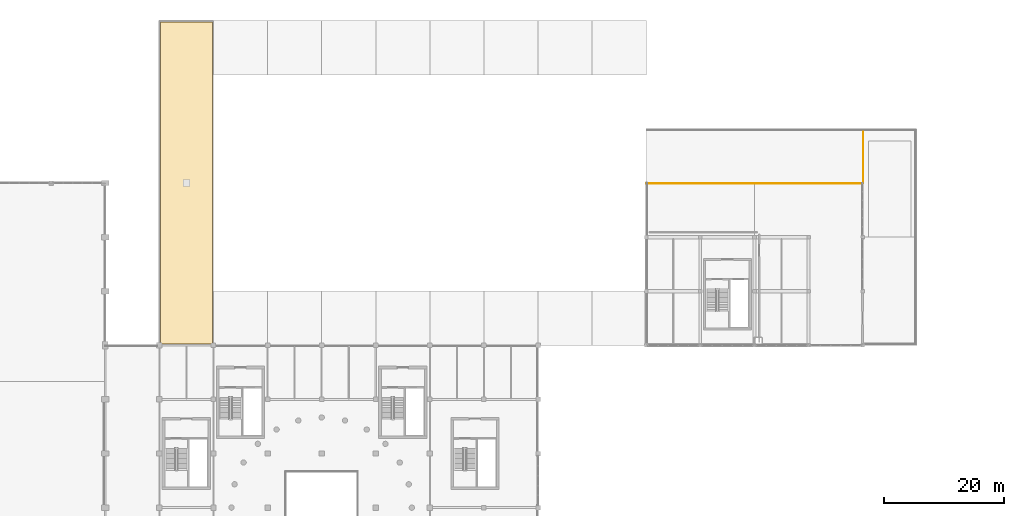
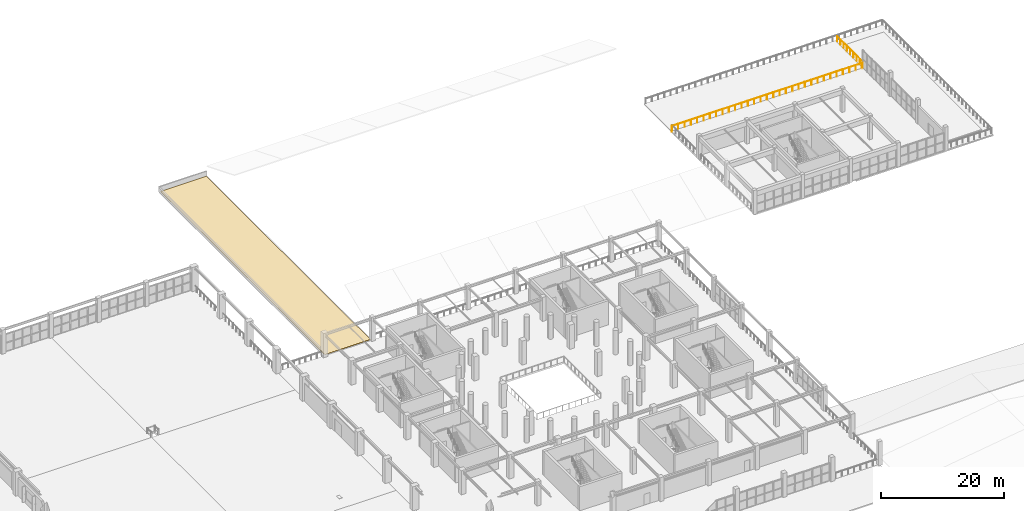
# One storey, part 89 of 89: 2 railings, 1 covering.
"""IFC4 building model written with IfcOpenShell, lengths in metres."""

from ifc_helpers import new_model, si_unit, direction, frame, origin, origin_2d, place, context, subcontext, project, spatial, polyline, circle, outline, extrude, material, layer, layer_set, type_object, element, save


model = new_model("IFC4")

# Units and contexts
model_context = context("Model", 3, precision=1e-05, world=origin(), true_north=direction((0.0, 1.0)))
body_context = subcontext(model_context, "Body", "Model", "MODEL_VIEW")
ifc_project = project(units=[si_unit("LENGTHUNIT", "METRE"), si_unit("AREAUNIT", "SQUARE_METRE"), si_unit("VOLUMEUNIT", "CUBIC_METRE"), si_unit("PLANEANGLEUNIT", "RADIAN"), si_unit("MASSUNIT", "GRAM", prefix="KILO")], contexts=[model_context])

# Site, building, storey
site_placement = place(None, origin())
site = spatial("IfcSite", under=ifc_project, at=site_placement, CompositionType="ELEMENT")
building_placement = place(site_placement, origin())
building = spatial("IfcBuilding", under=site, at=building_placement, Name="Dornveld Trade and Exhibition Forum", CompositionType="ELEMENT")
storey_placement = place(building_placement, frame((0.0, 0.0, 12.0)))
storey = spatial("IfcBuildingStorey", under=building, at=storey_placement, Name="L02", CompositionType="ELEMENT", Elevation=12.0)

# Covering
ifc_material_1 = material(Name="Standing-seam zinc roofing and rigid insulation", Category="metal")
ifc_layer = layer(ifc_material_1, 0.06005859375)
ifc_layer_set = layer_set([ifc_layer], Name="Standing-seam zinc roofing and rigid insulation")
covering_type = type_object("IfcCoveringType", Name="COV-ROOF-ZINC", PredefinedType="ROOFING", material=ifc_layer_set)
covering_placement = place(storey_placement, origin())
element("IfcCovering", 1, at=covering_placement, inside=storey, type_object=covering_type, Name="L02 standing-seam zinc roof finish 2", PredefinedType="ROOFING", context=body_context, shape_type="SweptSolid", body=[
    extrude(outline(polyline([(90.199951171875, 108.199951171875), (98.800048828125, 108.199951171875), (98.800048828125, 161.800048828125), (90.199951171875, 161.800048828125), (90.199951171875, 108.199951171875)])), origin(), (0.0, 0.0, 1.0), 0.06005859375),
])

# Railings
ifc_material_2 = material(Name="Dark-bronze steel and laminated glass balustrade", Category="steel")
railing_type = type_object("IfcRailingType", Name="RL-BALUST-CONC", PredefinedType="BALUSTRADE", material=ifc_material_2)
railing_1_placement = place(storey_placement, frame((207.10009765625, 135.0, 0.0)))
element("IfcRailing", 2, at=railing_1_placement, inside=storey, type_object=railing_type, Name="L02 deck edge balustrade 115", PredefinedType="BALUSTRADE", context=body_context, shape_type="SweptSolid", body=[
    extrude(circle(Radius=0.02490234375, at=origin_2d()), frame((0.0, 0.0, 1.09521484375), z_axis=(0.0, 1.0, 0.0), x_axis=(-1.0, 0.0, 0.0)), (0.0, 0.0, 1.0), 8.52001953125),
    extrude(circle(Radius=0.02099609375, at=origin_2d()), origin(), (0.0, 0.0, 1.0), 1.070068359375),
    extrude(circle(Radius=0.02099609375, at=origin_2d()), frame((0.0, 1.06494140625, 0.0)), (0.0, 0.0, 1.0), 1.070068359375),
    extrude(circle(Radius=0.02099609375, at=origin_2d()), frame((0.0, 2.1298828125, 0.0)), (0.0, 0.0, 1.0), 1.070068359375),
    extrude(circle(Radius=0.02099609375, at=origin_2d()), frame((0.0, 3.195068359375, 0.0)), (0.0, 0.0, 1.0), 1.070068359375),
    extrude(circle(Radius=0.02099609375, at=origin_2d()), frame((0.0, 4.260009765625, 0.0)), (0.0, 0.0, 1.0), 1.070068359375),
    extrude(circle(Radius=0.02099609375, at=origin_2d()), frame((0.0, 5.324951171875, 0.0)), (0.0, 0.0, 1.0), 1.070068359375),
    extrude(circle(Radius=0.02099609375, at=origin_2d()), frame((0.0, 6.39013671875, 0.0)), (0.0, 0.0, 1.0), 1.070068359375),
    extrude(circle(Radius=0.02099609375, at=origin_2d()), frame((0.0, 7.455078125, 0.0)), (0.0, 0.0, 1.0), 1.070068359375),
    extrude(circle(Radius=0.02099609375, at=origin_2d()), frame((0.0, 8.52001953125, 0.0)), (0.0, 0.0, 1.0), 1.070068359375),
])
railing_2_placement = place(storey_placement, frame((171.0, 134.89990234375, 0.0)))
element("IfcRailing", 3, at=railing_2_placement, inside=storey, type_object=railing_type, Name="L02 deck edge balustrade 125", PredefinedType="BALUSTRADE", context=body_context, shape_type="SweptSolid", body=[
    extrude(circle(Radius=0.02490234375, at=origin_2d()), frame((0.0, 0.0, 1.09521484375), z_axis=(1.0, 0.0, 0.0), x_axis=(0.0, 1.0, 0.0)), (0.0, 0.0, 1.0), 35.820068359375),
    extrude(circle(Radius=0.02099609375, at=origin_2d()), origin(), (0.0, 0.0, 1.0), 1.070068359375),
    extrude(circle(Radius=0.02099609375, at=origin_2d()), frame((1.194091796875, 0.0, 0.0)), (0.0, 0.0, 1.0), 1.070068359375),
    extrude(circle(Radius=0.02099609375, at=origin_2d()), frame((2.387939453125, 0.0, 0.0)), (0.0, 0.0, 1.0), 1.070068359375),
    extrude(circle(Radius=0.02099609375, at=origin_2d()), frame((3.58203125, 0.0, 0.0)), (0.0, 0.0, 1.0), 1.070068359375),
    extrude(circle(Radius=0.02099609375, at=origin_2d()), frame((4.776123046875, 0.0, 0.0)), (0.0, 0.0, 1.0), 1.070068359375),
    extrude(circle(Radius=0.02099609375, at=origin_2d()), frame((5.969970703125, 0.0, 0.0)), (0.0, 0.0, 1.0), 1.070068359375),
    extrude(circle(Radius=0.02099609375, at=origin_2d()), frame((7.1640625, 0.0, 0.0)), (0.0, 0.0, 1.0), 1.070068359375),
    extrude(circle(Radius=0.02099609375, at=origin_2d()), frame((8.35791015625, 0.0, 0.0)), (0.0, 0.0, 1.0), 1.070068359375),
    extrude(circle(Radius=0.02099609375, at=origin_2d()), frame((9.552001953125, 0.0, 0.0)), (0.0, 0.0, 1.0), 1.070068359375),
    extrude(circle(Radius=0.02099609375, at=origin_2d()), frame((10.74609375, 0.0, 0.0)), (0.0, 0.0, 1.0), 1.070068359375),
    extrude(circle(Radius=0.02099609375, at=origin_2d()), frame((11.93994140625, 0.0, 0.0)), (0.0, 0.0, 1.0), 1.070068359375),
    extrude(circle(Radius=0.02099609375, at=origin_2d()), frame((13.134033203125, 0.0, 0.0)), (0.0, 0.0, 1.0), 1.070068359375),
    extrude(circle(Radius=0.02099609375, at=origin_2d()), frame((14.328125, 0.0, 0.0)), (0.0, 0.0, 1.0), 1.070068359375),
    extrude(circle(Radius=0.02099609375, at=origin_2d()), frame((15.52197265625, 0.0, 0.0)), (0.0, 0.0, 1.0), 1.070068359375),
    extrude(circle(Radius=0.02099609375, at=origin_2d()), frame((16.716064453125, 0.0, 0.0)), (0.0, 0.0, 1.0), 1.070068359375),
    extrude(circle(Radius=0.02099609375, at=origin_2d()), frame((17.91015625, 0.0, 0.0)), (0.0, 0.0, 1.0), 1.070068359375),
    extrude(circle(Radius=0.02099609375, at=origin_2d()), frame((19.10400390625, 0.0, 0.0)), (0.0, 0.0, 1.0), 1.070068359375),
    extrude(circle(Radius=0.02099609375, at=origin_2d()), frame((20.298095703125, 0.0, 0.0)), (0.0, 0.0, 1.0), 1.070068359375),
    extrude(circle(Radius=0.02099609375, at=origin_2d()), frame((21.491943359375, 0.0, 0.0)), (0.0, 0.0, 1.0), 1.070068359375),
    extrude(circle(Radius=0.02099609375, at=origin_2d()), frame((22.68603515625, 0.0, 0.0)), (0.0, 0.0, 1.0), 1.070068359375),
    extrude(circle(Radius=0.02099609375, at=origin_2d()), frame((23.880126953125, 0.0, 0.0)), (0.0, 0.0, 1.0), 1.070068359375),
    extrude(circle(Radius=0.02099609375, at=origin_2d()), frame((25.073974609375, 0.0, 0.0)), (0.0, 0.0, 1.0), 1.070068359375),
    extrude(circle(Radius=0.02099609375, at=origin_2d()), frame((26.26806640625, 0.0, 0.0)), (0.0, 0.0, 1.0), 1.070068359375),
    extrude(circle(Radius=0.02099609375, at=origin_2d()), frame((27.462158203125, 0.0, 0.0)), (0.0, 0.0, 1.0), 1.070068359375),
    extrude(circle(Radius=0.02099609375, at=origin_2d()), frame((28.656005859375, 0.0, 0.0)), (0.0, 0.0, 1.0), 1.070068359375),
    extrude(circle(Radius=0.02099609375, at=origin_2d()), frame((29.85009765625, 0.0, 0.0)), (0.0, 0.0, 1.0), 1.070068359375),
    extrude(circle(Radius=0.02099609375, at=origin_2d()), frame((31.0439453125, 0.0, 0.0)), (0.0, 0.0, 1.0), 1.070068359375),
    extrude(circle(Radius=0.02099609375, at=origin_2d()), frame((32.238037109375, 0.0, 0.0)), (0.0, 0.0, 1.0), 1.070068359375),
    extrude(circle(Radius=0.02099609375, at=origin_2d()), frame((33.43212890625, 0.0, 0.0)), (0.0, 0.0, 1.0), 1.070068359375),
    extrude(circle(Radius=0.02099609375, at=origin_2d()), frame((34.6259765625, 0.0, 0.0)), (0.0, 0.0, 1.0), 1.070068359375),
    extrude(circle(Radius=0.02099609375, at=origin_2d()), frame((35.820068359375, 0.0, 0.0)), (0.0, 0.0, 1.0), 1.070068359375),
])

save(model, "model.ifc")
